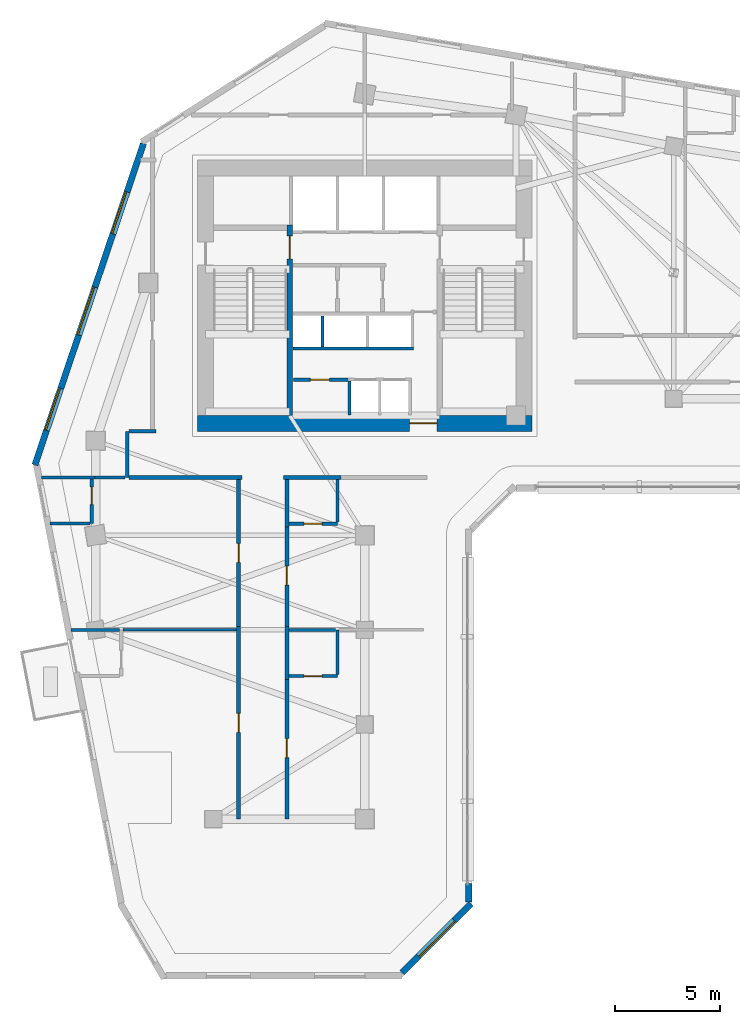
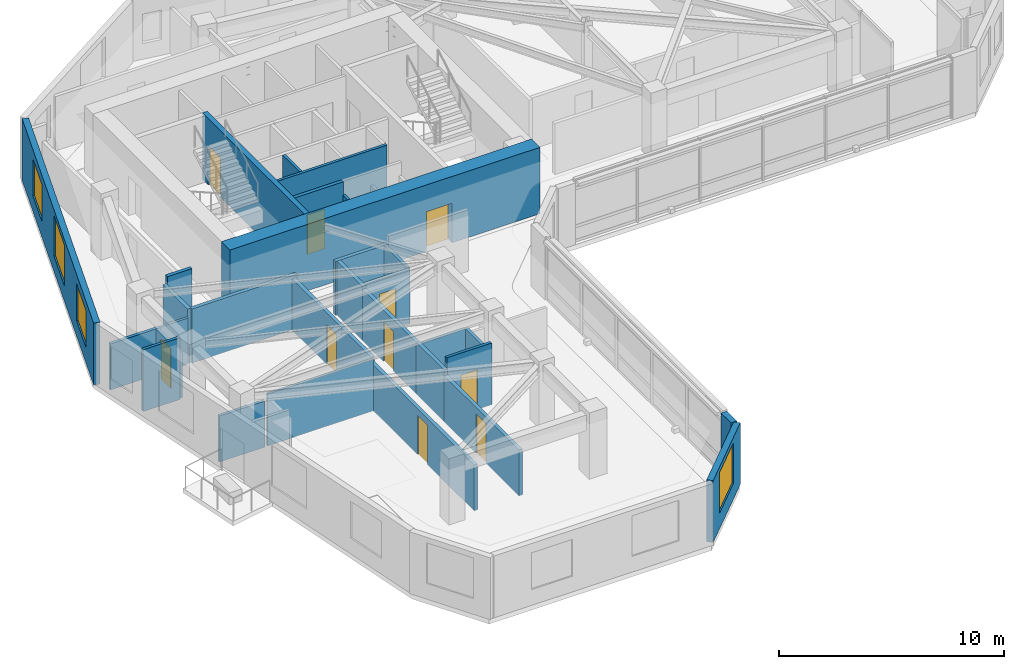
# One storey, part 5 of 11: 30 walls, 10 doors, 4 windows, 14 openings.
"""IFC4 building model written with IfcOpenShell, lengths in metres."""

from ifc_helpers import new_model, si_unit, direction, frame, frame_2d, origin, place, context, subcontext, project, spatial, rectangle, extrude, source, transform, mapped, material, layer, layer_set, type_object, element, fill, save


model = new_model("IFC4")

# Units and contexts
model_context = context("Model", 3, precision=1e-05, world=origin(), true_north=direction((0.0, 1.0)))
body_context = subcontext(model_context, "Body", "Model", "MODEL_VIEW")
ifc_project = project(units=[si_unit("LENGTHUNIT", "METRE"), si_unit("AREAUNIT", "SQUARE_METRE"), si_unit("VOLUMEUNIT", "CUBIC_METRE"), si_unit("PLANEANGLEUNIT", "RADIAN"), si_unit("MASSUNIT", "GRAM", prefix="KILO")], contexts=[model_context])

# Site, building, storey
site_placement = place(None, origin())
site = spatial("IfcSite", under=ifc_project, at=site_placement, CompositionType="ELEMENT")
building_placement = place(site_placement, origin())
building = spatial("IfcBuilding", under=site, at=building_placement, Name="Calvemar Wedge Station Tower", CompositionType="ELEMENT")
storey_placement = place(building_placement, frame((0.0, 0.0, 114.199951171875)))
storey = spatial("IfcBuildingStorey", under=building, at=storey_placement, Name="L27", CompositionType="ELEMENT", Elevation=114.199951171875)

# Wall, opening, door
ifc_material_1 = material(Name="Concrete C50", Category="concrete")
ifc_layer_1 = layer(ifc_material_1, 0.260009765625)
ifc_layer_set_1 = layer_set([ifc_layer_1], Name="Concrete C50")
wall_type_1 = type_object("IfcWallType", Name="SW-CORE-260", PredefinedType="SHEAR", material=ifc_layer_set_1)
wall_1_placement = place(storey_placement, frame((20.22998046875, 34.199951171875, 0.0), z_axis=(0.0, 0.0, 1.0), x_axis=(0.0, 1.0, 0.0)))
wall_1 = element("IfcWall", 1, at=wall_1_placement, inside=storey, type_object=wall_type_1, Name="Storey L27 Core Shear Wall SPINE-W", PredefinedType="SHEAR", context=body_context, shape_type="SweptSolid", body=[
    extrude(rectangle(XDim=9.06005859375, YDim=0.260009765625, at=frame_2d((4.530029296875, 0.0))), origin(), (0.0, 0.0, 1.0), 3.60009765625),
])
shared_shape_1 = source(origin(), body_context, "Body", "SweptSolid", [
    extrude(rectangle(XDim=1.10009765625, YDim=2.14990234375, at=frame_2d((0.550048828125, 1.074951171875))), frame((0.0, 0.14013671875, 0.0), z_axis=(0.0, -1.0, 0.0), x_axis=(1.0, 0.0, 0.0)), (0.0, 0.0, 1.0), 0.280029296875),
])
opening_1_placement = place(wall_1_placement, frame((7.449951171875, 0.0, 0.0)))
opening_1 = element("IfcOpeningElement", 2, at=opening_1_placement, cuts=wall_1, Name="Opening FD-90", PredefinedType="OPENING", context=body_context, shape_type="MappedRepresentation", body=[
    mapped(shared_shape_1, transform((0.0, 0.0, 0.0), scale=1.0)),
])
ifc_material_2 = material(Name="Galvanized fire-rated steel door leaf P-90", Category="steel")
door_type_1 = type_object("IfcDoorType", Name="DR-FD90-1100", OperationType="NOTDEFINED", PredefinedType="DOOR", material=ifc_material_2)
shared_shape_2 = source(origin(), body_context, "Body", "SweptSolid", [
    extrude(rectangle(XDim=1.10009765625, YDim=2.14990234375, at=frame_2d((0.550048828125, 1.074951171875))), frame((0.0, 0.02490234375, 0.0), z_axis=(0.0, -1.0, 0.0), x_axis=(1.0, 0.0, 0.0)), (0.0, 0.0, 1.0), 0.050048828125),
])
door_1_placement = place(opening_1_placement, origin())
door_1 = element("IfcDoor", 3, at=door_1_placement, inside=storey, type_object=door_type_1, Name="L27 FF Lobby to Stair ST-C1 Door", OperationType="SINGLE_SWING_RIGHT", OverallHeight=2.14990234375, OverallWidth=1.10009765625, PredefinedType="DOOR", context=body_context, shape_type="MappedRepresentation", body=[
    mapped(shared_shape_2, transform((0.0, 0.0, 0.0), scale=1.0)),
])
fill(opening_1, door_1)

ifc_material_3 = material(Name="Concrete C70", Category="concrete")
ifc_layer_2 = layer(ifc_material_3, 0.75)
ifc_layer_set_2 = layer_set([ifc_layer_2], Name="Concrete C70")
wall_type_2 = type_object("IfcWallType", Name="SW-CORE-750", PredefinedType="SHEAR", material=ifc_layer_set_2)
wall_2_placement = place(storey_placement, frame((15.85009765625, 33.824951171875, 0.0), z_axis=(0.0, 0.0, 1.0), x_axis=(1.0, 0.0, 0.0)))
wall_2 = element("IfcWall", 4, at=wall_2_placement, inside=storey, type_object=wall_type_2, Name="Storey L27 Core Shear Wall S", PredefinedType="SHEAR", context=body_context, shape_type="SweptSolid", body=[
    extrude(rectangle(XDim=15.89990234375, YDim=0.75, at=frame_2d((7.949951171875, 0.0))), origin(), (0.0, 0.0, 1.0), 3.60009765625),
])
shared_shape_3 = source(origin(), body_context, "Body", "SweptSolid", [
    extrude(rectangle(XDim=1.300048828125, YDim=2.14990234375, at=frame_2d((0.64990234375, 1.074951171875))), frame((0.0, 0.385009765625, 0.0), z_axis=(0.0, -1.0, 0.0), x_axis=(1.0, 0.0, 0.0)), (0.0, 0.0, 1.0), 0.77001953125),
])
opening_2_placement = place(wall_2_placement, frame((10.080078125, 0.0, 0.0)))
opening_2 = element("IfcOpeningElement", 5, at=opening_2_placement, cuts=wall_2, Name="Opening DD-130", PredefinedType="OPENING", context=body_context, shape_type="MappedRepresentation", body=[
    mapped(shared_shape_3, transform((0.0, 0.0, 0.0), scale=1.0)),
])
ifc_material_4 = material(Name="Double-leaf lift lobby fire door EI 60")
door_type_2 = type_object("IfcDoorType", Name="DR-DBL-1300", OperationType="DOUBLE_DOOR_SINGLE_SWING", PredefinedType="DOOR", material=ifc_material_4)
shared_shape_4 = source(origin(), body_context, "Body", "SweptSolid", [
    extrude(rectangle(XDim=1.300048828125, YDim=2.14990234375, at=frame_2d((0.64990234375, 1.074951171875))), frame((0.0, 0.02490234375, 0.0), z_axis=(0.0, -1.0, 0.0), x_axis=(1.0, 0.0, 0.0)), (0.0, 0.0, 1.0), 0.050048828125),
])
door_2_placement = place(opening_2_placement, origin())
door_2 = element("IfcDoor", 6, at=door_2_placement, inside=storey, type_object=door_type_2, Name="L27 Passenger Lift Lobby Door", OperationType="DOUBLE_DOOR_SINGLE_SWING", OverallHeight=2.14990234375, OverallWidth=1.300048828125, PredefinedType="DOOR", context=body_context, shape_type="MappedRepresentation", body=[
    mapped(shared_shape_4, transform((0.0, 0.0, 0.0), scale=1.0)),
])
fill(opening_2, door_2)

ifc_material_5 = material(Name="Double-stud fire-rated corridor partition")
ifc_layer_3 = layer(ifc_material_5, 0.179931640625)
ifc_layer_set_3 = layer_set([ifc_layer_3], Name="Double-stud fire-rated corridor partition")
wall_type_3 = type_object("IfcWallType", Name="W-CORR-180", PredefinedType="PARTITIONING", material=ifc_layer_set_3)
wall_3_placement = place(storey_placement, frame((20.419921875, 35.89990234375, 0.0), z_axis=(0.0, 0.0, 1.0), x_axis=(1.0, 0.0, 0.0)))
wall_3 = element("IfcWall", 7, at=wall_3_placement, inside=storey, type_object=wall_type_3, Name="Storey L27 Interior Partition WL-L27-006", PredefinedType="PARTITIONING", context=body_context, shape_type="SweptSolid", body=[
    extrude(rectangle(XDim=2.6201171875, YDim=0.179931640625, at=frame_2d((1.31005859375, 0.0))), origin(), (0.0, 0.0, 1.0), 3.35009765625),
])
shared_shape_5 = source(origin(), body_context, "Body", "SweptSolid", [
    extrude(rectangle(XDim=0.89990234375, YDim=2.14990234375, at=frame_2d((0.449951171875, 1.074951171875))), frame((0.0, 0.10009765625, 0.0), z_axis=(0.0, -1.0, 0.0), x_axis=(1.0, 0.0, 0.0)), (0.0, 0.0, 1.0), 0.199951171875),
])
opening_3_placement = place(wall_3_placement, frame((0.795654296875, 0.0, 0.0)))
opening_3 = element("IfcOpeningElement", 8, at=opening_3_placement, cuts=wall_3, Name="Opening FD-60", PredefinedType="OPENING", context=body_context, shape_type="MappedRepresentation", body=[
    mapped(shared_shape_5, transform((0.0, 0.0, 0.0), scale=1.0)),
])
ifc_material_6 = material(Name="Fire-rated acoustic timber-core entrance door EI 60", Category="wood")
door_type_3 = type_object("IfcDoorType", Name="DR-FD60-900", OperationType="NOTDEFINED", PredefinedType="DOOR", material=ifc_material_6)
shared_shape_6 = source(origin(), body_context, "Body", "SweptSolid", [
    extrude(rectangle(XDim=0.89990234375, YDim=2.14990234375, at=frame_2d((0.449951171875, 1.074951171875))), frame((0.0, 0.02490234375, 0.0), z_axis=(0.0, -1.0, 0.0), x_axis=(1.0, 0.0, 0.0)), (0.0, 0.0, 1.0), 0.050048828125),
])
door_3_placement = place(opening_3_placement, origin())
door_3 = element("IfcDoor", 9, at=door_3_placement, inside=storey, type_object=door_type_3, Name="L27 Housekeeping Store Door", OperationType="SINGLE_SWING_LEFT", OverallHeight=2.14990234375, OverallWidth=0.89990234375, PredefinedType="DOOR", context=body_context, shape_type="MappedRepresentation", body=[
    mapped(shared_shape_6, transform((0.0, 0.0, 0.0), scale=1.0)),
])
fill(opening_3, door_3)

# Walls
wall_4_placement = place(storey_placement, frame((12.5, 31.25, 0.0), z_axis=(0.0, 0.0, 1.0), x_axis=(0.0, 1.0, 0.0)))
element("IfcWall", 10, at=wall_4_placement, inside=storey, type_object=wall_type_3, Name="Storey L27 Interior Partition WL-L27-007", PredefinedType="PARTITIONING", context=body_context, shape_type="SweptSolid", body=[
    extrude(rectangle(XDim=2.199951171875, YDim=0.179931640625, at=frame_2d((1.10009765625, 0.0))), origin(), (0.0, 0.0, 1.0), 2.93505859375),
])
wall_5_placement = place(storey_placement, frame((12.593994140625, 33.449951171875, 0.0), z_axis=(0.0, 0.0, 1.0), x_axis=(1.0, 0.0, 0.0)))
element("IfcWall", 11, at=wall_5_placement, inside=storey, type_object=wall_type_3, Name="Storey L27 Interior Partition WL-L27-008", PredefinedType="PARTITIONING", context=body_context, shape_type="SweptSolid", body=[
    extrude(rectangle(XDim=1.26611328125, YDim=0.179931640625, at=frame_2d((0.633056640625, 0.0))), origin(), (0.0, 0.0, 1.0), 3.35009765625),
])
wall_6_placement = place(storey_placement, frame((17.9599609375, 31.25, 0.0), z_axis=(0.0, 0.0, 1.0), x_axis=(-1.0, 0.0, 0.0)))
element("IfcWall", 12, at=wall_6_placement, inside=storey, type_object=wall_type_3, Name="Storey L27 Interior Partition WL-L27-009", PredefinedType="PARTITIONING", context=body_context, shape_type="SweptSolid", body=[
    extrude(rectangle(XDim=5.365966796875, YDim=0.179931640625, at=frame_2d((2.68310546875, 0.0))), origin(), (0.0, 0.0, 1.0), 2.93505859375),
])
wall_7_placement = place(storey_placement, frame((22.659912109375, 31.25, 0.0), z_axis=(0.0, 0.0, 1.0), x_axis=(-1.0, 0.0, 0.0)))
element("IfcWall", 13, at=wall_7_placement, inside=storey, type_object=wall_type_3, Name="Storey L27 Interior Partition WL-L27-010", PredefinedType="PARTITIONING", context=body_context, shape_type="SweptSolid", body=[
    extrude(rectangle(XDim=2.719970703125, YDim=0.179931640625, at=frame_2d((1.35986328125, 0.0))), origin(), (0.0, 0.0, 1.0), 2.93505859375),
])

# Wall, opening, door
wall_8_placement = place(storey_placement, frame((17.800048828125, 15.0, 0.0), z_axis=(0.0, 0.0, 1.0), x_axis=(0.0, 1.0, 0.0)))
wall_8 = element("IfcWall", 14, at=wall_8_placement, inside=storey, type_object=wall_type_3, Name="Storey L27 Interior Partition WL-L27-040", PredefinedType="PARTITIONING", context=body_context, shape_type="SweptSolid", body=[
    extrude(rectangle(XDim=9.159912109375, YDim=0.179931640625, at=frame_2d((4.580078125, 0.0))), origin(), (0.0, 0.0, 1.0), 2.491943359375),
])
opening_4_placement = place(wall_8_placement, frame((4.1298828125, 0.0, 0.0)))
opening_4 = element("IfcOpeningElement", 15, at=opening_4_placement, cuts=wall_8, Name="Opening FD-60", PredefinedType="OPENING", context=body_context, shape_type="MappedRepresentation", body=[
    mapped(shared_shape_5, transform((0.0, 0.0, 0.0), scale=1.0)),
])
door_4_placement = place(opening_4_placement, origin())
door_4 = element("IfcDoor", 16, at=door_4_placement, inside=storey, type_object=door_type_3, Name="L27 Hotel Guest Room Door", OperationType="SINGLE_SWING_LEFT", OverallHeight=2.14990234375, OverallWidth=0.89990234375, PredefinedType="DOOR", context=body_context, shape_type="MappedRepresentation", body=[
    mapped(shared_shape_6, transform((0.0, 0.0, 0.0), scale=1.0)),
])
fill(opening_4, door_4)

# Wall
wall_9_placement = place(storey_placement, frame((20.10009765625, 24.159912109375, 0.0), z_axis=(0.0, 0.0, 1.0), x_axis=(0.0, -1.0, 0.0)))
element("IfcWall", 17, at=wall_9_placement, inside=storey, type_object=wall_type_3, Name="Storey L27 Interior Partition WL-L27-041", PredefinedType="PARTITIONING", context=body_context, shape_type="SweptSolid", body=[
    extrude(rectangle(XDim=2.52001953125, YDim=0.179931640625, at=frame_2d((1.260009765625, 0.0))), origin(), (0.0, 0.0, 1.0), 2.802978515625),
])

# Wall, opening, door
wall_10_placement = place(storey_placement, frame((20.10009765625, 21.637939453125, 0.0), z_axis=(0.0, 0.0, 1.0), x_axis=(0.0, -1.0, 0.0)))
wall_10 = element("IfcWall", 18, at=wall_10_placement, inside=storey, type_object=wall_type_3, Name="Storey L27 Interior Partition WL-L27-042", PredefinedType="PARTITIONING", context=body_context, shape_type="SweptSolid", body=[
    extrude(rectangle(XDim=6.637939453125, YDim=0.179931640625, at=frame_2d((3.31884765625, 0.0))), origin(), (0.0, 0.0, 1.0), 2.491943359375),
])
opening_5_placement = place(wall_10_placement, frame((2.808837890625, 0.0, 0.0)))
opening_5 = element("IfcOpeningElement", 19, at=opening_5_placement, cuts=wall_10, Name="Opening FD-60", PredefinedType="OPENING", context=body_context, shape_type="MappedRepresentation", body=[
    mapped(shared_shape_5, transform((0.0, 0.0, 0.0), scale=1.0)),
])
door_5_placement = place(opening_5_placement, origin())
door_5 = element("IfcDoor", 20, at=door_5_placement, inside=storey, type_object=door_type_3, Name="L27 Hotel Guest Room Door", OperationType="SINGLE_SWING_LEFT", OverallHeight=2.14990234375, OverallWidth=0.89990234375, PredefinedType="DOOR", context=body_context, shape_type="MappedRepresentation", body=[
    mapped(shared_shape_6, transform((0.0, 0.0, 0.0), scale=1.0)),
])
fill(opening_5, door_5)

wall_11_placement = place(storey_placement, frame((17.800048828125, 24.162109375, 0.0), z_axis=(0.0, 0.0, 1.0), x_axis=(0.0, 1.0, 0.0)))
wall_11 = element("IfcWall", 21, at=wall_11_placement, inside=storey, type_object=wall_type_3, Name="Storey L27 Interior Partition WL-L27-043", PredefinedType="PARTITIONING", context=body_context, shape_type="SweptSolid", body=[
    extrude(rectangle(XDim=6.993896484375, YDim=0.179931640625, at=frame_2d((3.4970703125, 0.0))), origin(), (0.0, 0.0, 1.0), 2.7880859375),
])
opening_6_placement = place(wall_11_placement, frame((3.047119140625, 0.0, 0.0)))
opening_6 = element("IfcOpeningElement", 22, at=opening_6_placement, cuts=wall_11, Name="Opening FD-60", PredefinedType="OPENING", context=body_context, shape_type="MappedRepresentation", body=[
    mapped(shared_shape_5, transform((0.0, 0.0, 0.0), scale=1.0)),
])
door_6_placement = place(opening_6_placement, origin())
door_6 = element("IfcDoor", 23, at=door_6_placement, inside=storey, type_object=door_type_3, Name="L27 Hotel Guest Room Door", OperationType="SINGLE_SWING_LEFT", OverallHeight=2.14990234375, OverallWidth=0.89990234375, PredefinedType="DOOR", context=body_context, shape_type="MappedRepresentation", body=[
    mapped(shared_shape_6, transform((0.0, 0.0, 0.0), scale=1.0)),
])
fill(opening_6, door_6)

# Wall
wall_12_placement = place(storey_placement, frame((20.10009765625, 31.156005859375, 0.0), z_axis=(0.0, 0.0, 1.0), x_axis=(0.0, -1.0, 0.0)))
element("IfcWall", 24, at=wall_12_placement, inside=storey, type_object=wall_type_3, Name="Storey L27 Interior Partition WL-L27-044", PredefinedType="PARTITIONING", context=body_context, shape_type="SweptSolid", body=[
    extrude(rectangle(XDim=2.26611328125, YDim=0.179931640625, at=frame_2d((1.133056640625, 0.0))), origin(), (0.0, 0.0, 1.0), 2.93505859375),
])

# Wall, opening, door
wall_13_placement = place(storey_placement, frame((20.10009765625, 28.887939453125, 0.0), z_axis=(0.0, 0.0, 1.0), x_axis=(0.0, -1.0, 0.0)))
wall_13 = element("IfcWall", 25, at=wall_13_placement, inside=storey, type_object=wall_type_3, Name="Storey L27 Interior Partition WL-L27-045", PredefinedType="PARTITIONING", context=body_context, shape_type="SweptSolid", body=[
    extrude(rectangle(XDim=4.725830078125, YDim=0.179931640625, at=frame_2d((2.36279296875, 0.0))), origin(), (0.0, 0.0, 1.0), 2.7880859375),
])
opening_7_placement = place(wall_13_placement, frame((1.8525390625, 0.0, 0.0)))
opening_7 = element("IfcOpeningElement", 26, at=opening_7_placement, cuts=wall_13, Name="Opening FD-60", PredefinedType="OPENING", context=body_context, shape_type="MappedRepresentation", body=[
    mapped(shared_shape_5, transform((0.0, 0.0, 0.0), scale=1.0)),
])
door_7_placement = place(opening_7_placement, origin())
door_7 = element("IfcDoor", 27, at=door_7_placement, inside=storey, type_object=door_type_3, Name="L27 Hotel Guest Room Door", OperationType="SINGLE_SWING_LEFT", OverallHeight=2.14990234375, OverallWidth=0.89990234375, PredefinedType="DOOR", context=body_context, shape_type="MappedRepresentation", body=[
    mapped(shared_shape_6, transform((0.0, 0.0, 0.0), scale=1.0)),
])
fill(opening_7, door_7)

# Wall, opening, window
ifc_material_7 = material(Name="Precast concrete C45", Category="concrete")
ifc_layer_4 = layer(ifc_material_7, 0.300048828125)
ifc_layer_set_4 = layer_set([ifc_layer_4], Name="Precast concrete C45")
wall_type_4 = type_object("IfcWallType", Name="W-EXT-GFRC-300", PredefinedType="SOLIDWALL", material=ifc_layer_set_4)
wall_14_placement = place(storey_placement, frame((25.572021484375, 7.68798828125, 0.0), z_axis=(0.0, 0.0, 1.0), x_axis=(0.70708046583, 0.707133095564, 0.0)))
wall_14 = element("IfcWall", 28, at=wall_14_placement, inside=storey, type_object=wall_type_4, Name="Storey L27 Bronze GFRC Exterior Wall 3", PredefinedType="SOLIDWALL", context=body_context, shape_type="SweptSolid", body=[
    extrude(rectangle(XDim=4.638916015625, YDim=0.300048828125, at=frame_2d((2.3193359375, 0.0))), origin(), (0.0, 0.0, 1.0), 3.35009765625),
])
shared_shape_7 = source(origin(), body_context, "Body", "SweptSolid", [
    extrude(rectangle(XDim=2.39990234375, YDim=2.199951171875, at=frame_2d((1.199951171875, 1.10009765625))), frame((0.0, 0.16015625, 0.0), z_axis=(0.0, -1.0, 0.0), x_axis=(1.0, 0.0, 0.0)), (0.0, 0.0, 1.0), 0.320068359375),
])
opening_8_placement = place(wall_14_placement, frame((1.118896484375, 0.0, 0.85009765625)))
opening_8 = element("IfcOpeningElement", 29, at=opening_8_placement, cuts=wall_14, Name="Opening W1", PredefinedType="OPENING", context=body_context, shape_type="MappedRepresentation", body=[
    mapped(shared_shape_7, transform((0.0, 0.0, 0.0), scale=1.0)),
])
ifc_material_8 = material(Name="Low-E laminated insulated glass", Category="glass")
window_type_1 = type_object("IfcWindowType", Name="WIN-EXT-1", PartitioningType="SINGLE_PANEL", PredefinedType="WINDOW", material=ifc_material_8)
shared_shape_8 = source(origin(), body_context, "Body", "SweptSolid", [
    extrude(rectangle(XDim=2.39990234375, YDim=2.199951171875, at=frame_2d((1.199951171875, 1.10009765625))), frame((0.0, -0.014892578125, 0.0), z_axis=(0.0, -1.0, 0.0), x_axis=(1.0, 0.0, 0.0)), (0.0, 0.0, 1.0), 0.06005859375),
])
window_1_placement = place(opening_8_placement, origin())
window_1 = element("IfcWindow", 30, at=window_1_placement, inside=storey, type_object=window_type_1, Name="Storey L27 Recessed Window 3.1", OverallHeight=2.199951171875, OverallWidth=2.39990234375, PartitioningType="SINGLE_PANEL", PredefinedType="WINDOW", context=body_context, shape_type="MappedRepresentation", body=[
    mapped(shared_shape_8, transform((0.0, 0.0, 0.0), scale=1.0)),
])
fill(opening_8, window_1)

# Wall
wall_15_placement = place(storey_placement, frame((28.74609375, 11.057373046875, 0.0), z_axis=(0.0, 0.0, 1.0), x_axis=(0.0, 1.0, 0.0)))
element("IfcWall", 31, at=wall_15_placement, inside=storey, type_object=wall_type_4, Name="Storey L27 Bronze GFRC Corner Pier 4A", PredefinedType="SOLIDWALL", context=body_context, shape_type="SweptSolid", body=[
    extrude(rectangle(XDim=0.88232421875, YDim=0.300048828125, at=frame_2d((0.441162109375, 0.0))), origin(), (0.0, 0.0, 1.0), 3.35009765625),
])

# Wall, openings, windows
wall_16_placement = place(storey_placement, frame((13.2685546875, 47.1337890625, 0.0), z_axis=(0.0, 0.0, 1.0), x_axis=(-0.319929596295, -0.947441319246, 0.0)))
wall_16 = element("IfcWall", 32, at=wall_16_placement, inside=storey, type_object=wall_type_4, Name="Storey L27 Bronze GFRC Exterior Wall 12", PredefinedType="SOLIDWALL", context=body_context, shape_type="SweptSolid", body=[
    extrude(rectangle(XDim=16.13427734375, YDim=0.300048828125, at=frame_2d((8.067138671875, 0.0))), origin(), (0.0, 0.0, 1.0), 3.35009765625),
])
shared_shape_9 = source(origin(), body_context, "Body", "SweptSolid", [
    extrude(rectangle(XDim=2.10009765625, YDim=2.0, at=frame_2d((1.050048828125, 1.0))), frame((0.0, 0.16015625, 0.0), z_axis=(0.0, -1.0, 0.0), x_axis=(1.0, 0.0, 0.0)), (0.0, 0.0, 1.0), 0.320068359375),
])
opening_9_placement = place(wall_16_placement, frame((2.426025390625, 0.0, 0.85009765625)))
opening_9 = element("IfcOpeningElement", 33, at=opening_9_placement, cuts=wall_16, Name="Opening W4", PredefinedType="OPENING", context=body_context, shape_type="MappedRepresentation", body=[
    mapped(shared_shape_9, transform((0.0, 0.0, 0.0), scale=1.0)),
])
opening_10_placement = place(wall_16_placement, frame((7.2109375, 0.0, 0.85009765625)))
opening_10 = element("IfcOpeningElement", 34, at=opening_10_placement, cuts=wall_16, Name="Opening W1", PredefinedType="OPENING", context=body_context, shape_type="MappedRepresentation", body=[
    mapped(shared_shape_7, transform((0.0, 0.0, 0.0), scale=1.0)),
])
opening_11_placement = place(wall_16_placement, frame((12.297119140625, 0.0, 0.85009765625)))
opening_11 = element("IfcOpeningElement", 35, at=opening_11_placement, cuts=wall_16, Name="Opening W4", PredefinedType="OPENING", context=body_context, shape_type="MappedRepresentation", body=[
    mapped(shared_shape_9, transform((0.0, 0.0, 0.0), scale=1.0)),
])
window_type_2 = type_object("IfcWindowType", Name="WIN-EXT-4", PartitioningType="SINGLE_PANEL", PredefinedType="WINDOW", material=ifc_material_8)
shared_shape_10 = source(origin(), body_context, "Body", "SweptSolid", [
    extrude(rectangle(XDim=2.10009765625, YDim=2.0, at=frame_2d((1.050048828125, 1.0))), frame((0.0, -0.014892578125, 0.0), z_axis=(0.0, -1.0, 0.0), x_axis=(1.0, 0.0, 0.0)), (0.0, 0.0, 1.0), 0.06005859375),
])
window_2_placement = place(opening_9_placement, origin())
window_2 = element("IfcWindow", 36, at=window_2_placement, inside=storey, type_object=window_type_2, Name="Storey L27 Recessed Window 12.1", OverallHeight=2.0, OverallWidth=2.10009765625, PartitioningType="SINGLE_PANEL", PredefinedType="WINDOW", context=body_context, shape_type="MappedRepresentation", body=[
    mapped(shared_shape_10, transform((0.0, 0.0, 0.0), scale=1.0)),
])
fill(opening_9, window_2)
window_3_placement = place(opening_11_placement, origin())
window_3 = element("IfcWindow", 37, at=window_3_placement, inside=storey, type_object=window_type_2, Name="Storey L27 Recessed Window 12.3", OverallHeight=2.0, OverallWidth=2.10009765625, PartitioningType="SINGLE_PANEL", PredefinedType="WINDOW", context=body_context, shape_type="MappedRepresentation", body=[
    mapped(shared_shape_10, transform((0.0, 0.0, 0.0), scale=1.0)),
])
fill(opening_11, window_3)
window_4_placement = place(opening_10_placement, origin())
window_4 = element("IfcWindow", 38, at=window_4_placement, inside=storey, type_object=window_type_1, Name="Storey L27 Recessed Window 12.2", OverallHeight=2.199951171875, OverallWidth=2.39990234375, PartitioningType="SINGLE_PANEL", PredefinedType="WINDOW", context=body_context, shape_type="MappedRepresentation", body=[
    mapped(shared_shape_8, transform((0.0, 0.0, 0.0), scale=1.0)),
])
fill(opening_10, window_4)

# Walls
ifc_material_9 = material(Name="Reinforced concrete blockwork lift shaft wall", Category="masonry")
ifc_layer_5 = layer(ifc_material_9, 0.139892578125)
ifc_layer_set_5 = layer_set([ifc_layer_5], Name="Reinforced concrete blockwork lift shaft wall")
wall_type_5 = type_object("IfcWallType", Name="W-LIFT-160", PredefinedType="SOLIDWALL", material=ifc_layer_set_5)
wall_17_placement = place(storey_placement, frame((23.070068359375, 34.219970703125, 0.0), z_axis=(0.0, 0.0, 1.0), x_axis=(0.0, 1.0, 0.0)))
element("IfcWall", 39, at=wall_17_placement, inside=storey, type_object=wall_type_5, Name="Storey L27 South Passenger Lift Shaft Wall W", PredefinedType="SOLIDWALL", context=body_context, shape_type="SweptSolid", body=[
    extrude(rectangle(XDim=1.6201171875, YDim=0.139892578125, at=frame_2d((0.81005859375, 0.0))), origin(), (0.0, 0.0, 1.0), 2.64208984375),
])
wall_18_placement = place(storey_placement, frame((20.3798828125, 37.3798828125, 0.0), z_axis=(0.0, 0.0, 1.0), x_axis=(1.0, 0.0, 0.0)))
element("IfcWall", 40, at=wall_18_placement, inside=storey, type_object=wall_type_5, Name="Storey L27 Upper Passenger Lift Bank Front Wall", PredefinedType="SOLIDWALL", context=body_context, shape_type="SweptSolid", body=[
    extrude(rectangle(XDim=5.75, YDim=0.139892578125, at=frame_2d((2.875, 0.0))), origin(), (0.0, 0.0, 1.0), 3.35009765625),
])
wall_19_placement = place(storey_placement, frame((21.794921875, 37.4599609375, 0.0), z_axis=(0.0, 0.0, 1.0), x_axis=(0.0, 1.0, 0.0)))
element("IfcWall", 41, at=wall_19_placement, inside=storey, type_object=wall_type_5, Name="Storey L27 Upper Passenger Lift Shaft Wall D1", PredefinedType="SOLIDWALL", context=body_context, shape_type="SweptSolid", body=[
    extrude(rectangle(XDim=1.47998046875, YDim=0.139892578125, at=frame_2d((0.739990234375, 0.0))), origin(), (0.0, 0.0, 1.0), 3.35009765625),
])
ifc_material_10 = material(Name="Insulated acoustic gypsum stud partition")
ifc_layer_6 = layer(ifc_material_10, 0.125)
ifc_layer_set_6 = layer_set([ifc_layer_6], Name="Insulated acoustic gypsum stud partition")
wall_type_6 = type_object("IfcWallType", Name="W-PART-125", PredefinedType="PARTITIONING", material=ifc_layer_set_6)
wall_20_placement = place(storey_placement, frame((12.406005859375, 31.25, 0.0), z_axis=(0.0, 0.0, 1.0), x_axis=(-1.0, 0.0, 0.0)))
element("IfcWall", 42, at=wall_20_placement, inside=storey, type_object=wall_type_6, Name="Storey L27 Interior Partition WL-L27-019", PredefinedType="PARTITIONING", context=body_context, shape_type="SweptSolid", body=[
    extrude(rectangle(XDim=1.43310546875, YDim=0.125, at=frame_2d((0.716552734375, 0.0))), origin(), (0.0, 0.0, 1.0), 2.491943359375),
])
wall_21_placement = place(storey_placement, frame((12.294677734375, 24.0, 0.0), z_axis=(0.0, 0.0, 1.0), x_axis=(1.0, 0.0, 0.0)))
element("IfcWall", 43, at=wall_21_placement, inside=storey, type_object=wall_type_6, Name="Storey L27 Interior Partition WL-L27-049", PredefinedType="PARTITIONING", context=body_context, shape_type="SweptSolid", body=[
    extrude(rectangle(XDim=5.411376953125, YDim=0.125, at=frame_2d((2.70556640625, 0.0))), origin(), (0.0, 0.0, 1.0), 2.802978515625),
])
ifc_material_11 = material(Name="Moisture-resistant acoustic bathroom partition")
ifc_layer_7 = layer(ifc_material_11, 0.14990234375)
ifc_layer_set_7 = layer_set([ifc_layer_7], Name="Moisture-resistant acoustic bathroom partition")
wall_type_7 = type_object("IfcWallType", Name="W-WET-150", PredefinedType="PARTITIONING", material=ifc_layer_set_7)
wall_22_placement = place(storey_placement, frame((10.970947265625, 31.25, 0.0), z_axis=(0.0, 0.0, 1.0), x_axis=(-1.0, 0.0, 0.0)))
element("IfcWall", 44, at=wall_22_placement, inside=storey, type_object=wall_type_7, Name="Storey L27 Interior Partition WL-L27-018", PredefinedType="PARTITIONING", context=body_context, shape_type="SweptSolid", body=[
    extrude(rectangle(XDim=2.55615234375, YDim=0.14990234375, at=frame_2d((1.278076171875, 0.0))), origin(), (0.0, 0.0, 1.0), 2.491943359375),
])
wall_23_placement = place(storey_placement, frame((9.815673828125, 24.0, 0.0), z_axis=(0.0, 0.0, 1.0), x_axis=(1.0, 0.0, 0.0)))
element("IfcWall", 45, at=wall_23_placement, inside=storey, type_object=wall_type_7, Name="Storey L27 Interior Partition WL-L27-048", PredefinedType="PARTITIONING", context=body_context, shape_type="SweptSolid", body=[
    extrude(rectangle(XDim=2.321044921875, YDim=0.14990234375, at=frame_2d((1.16064453125, 0.0))), origin(), (0.0, 0.0, 1.0), 2.491943359375),
])

# Wall, opening, door
wall_24_placement = place(storey_placement, frame((22.5, 21.800048828125, 0.0), z_axis=(0.0, 0.0, 1.0), x_axis=(-1.0, 0.0, 0.0)))
wall_24 = element("IfcWall", 46, at=wall_24_placement, inside=storey, type_object=wall_type_7, Name="Storey L27 Interior Partition WL-L27-050", PredefinedType="PARTITIONING", context=body_context, shape_type="SweptSolid", body=[
    extrude(rectangle(XDim=2.305908203125, YDim=0.14990234375, at=frame_2d((1.15283203125, 0.0))), origin(), (0.0, 0.0, 1.0), 3.35009765625),
])
shared_shape_11 = source(origin(), body_context, "Body", "SweptSolid", [
    extrude(rectangle(XDim=0.85009765625, YDim=2.14990234375, at=frame_2d((0.425048828125, 1.074951171875))), frame((0.0, 0.0849609375, 0.0), z_axis=(0.0, -1.0, 0.0), x_axis=(1.0, 0.0, 0.0)), (0.0, 0.0, 1.0), 0.169921875),
])
opening_12_placement = place(wall_24_placement, frame((0.72802734375, 0.0, 0.0)))
opening_12 = element("IfcOpeningElement", 47, at=opening_12_placement, cuts=wall_24, Name="Opening D-02", PredefinedType="OPENING", context=body_context, shape_type="MappedRepresentation", body=[
    mapped(shared_shape_11, transform((0.0, 0.0, 0.0), scale=1.0)),
])
ifc_material_12 = material(Name="Moisture-sealed bathroom hardwood swing door", Category="wood")
door_type_4 = type_object("IfcDoorType", Name="DR-WET-850", OperationType="NOTDEFINED", PredefinedType="DOOR", material=ifc_material_12)
shared_shape_12 = source(origin(), body_context, "Body", "SweptSolid", [
    extrude(rectangle(XDim=0.85009765625, YDim=2.14990234375, at=frame_2d((0.425048828125, 1.074951171875))), frame((0.0, 0.02490234375, 0.0), z_axis=(0.0, -1.0, 0.0), x_axis=(1.0, 0.0, 0.0)), (0.0, 0.0, 1.0), 0.050048828125),
])
door_8_placement = place(opening_12_placement, origin())
door_8 = element("IfcDoor", 48, at=door_8_placement, inside=storey, type_object=door_type_4, Name="L27 En-Suite Bathroom Door", OperationType="SINGLE_SWING_RIGHT", OverallHeight=2.14990234375, OverallWidth=0.85009765625, PredefinedType="DOOR", context=body_context, shape_type="MappedRepresentation", body=[
    mapped(shared_shape_12, transform((0.0, 0.0, 0.0), scale=1.0)),
])
fill(opening_12, door_8)

# Walls
wall_25_placement = place(storey_placement, frame((22.5, 24.0, 0.0), z_axis=(0.0, 0.0, 1.0), x_axis=(0.0, -1.0, 0.0)))
element("IfcWall", 49, at=wall_25_placement, inside=storey, type_object=wall_type_7, Name="Storey L27 Interior Partition WL-L27-051", PredefinedType="PARTITIONING", context=body_context, shape_type="SweptSolid", body=[
    extrude(rectangle(XDim=2.12109375, YDim=0.14990234375, at=frame_2d((1.060546875, 0.0))), origin(), (0.0, 0.0, 1.0), 2.802978515625),
])
wall_26_placement = place(storey_placement, frame((20.194091796875, 24.0, 0.0), z_axis=(0.0, 0.0, 1.0), x_axis=(1.0, 0.0, 0.0)))
element("IfcWall", 50, at=wall_26_placement, inside=storey, type_object=wall_type_7, Name="Storey L27 Interior Partition WL-L27-052", PredefinedType="PARTITIONING", context=body_context, shape_type="SweptSolid", body=[
    extrude(rectangle(XDim=2.226806640625, YDim=0.14990234375, at=frame_2d((1.11328125, 0.0))), origin(), (0.0, 0.0, 1.0), 2.802978515625),
])

# Wall, opening, door
wall_27_placement = place(storey_placement, frame((10.810791015625, 31.1708984375, 0.0), z_axis=(0.0, 0.0, 1.0), x_axis=(0.0, -1.0, 0.0)))
wall_27 = element("IfcWall", 51, at=wall_27_placement, inside=storey, type_object=wall_type_7, Name="Storey L27 Interior Partition WL-L27-054", PredefinedType="PARTITIONING", context=body_context, shape_type="SweptSolid", body=[
    extrude(rectangle(XDim=2.100830078125, YDim=0.14990234375, at=frame_2d((1.05029296875, 0.0))), origin(), (0.0, 0.0, 1.0), 2.491943359375),
])
opening_13_placement = place(wall_27_placement, frame((0.366455078125, 0.0, 0.0)))
opening_13 = element("IfcOpeningElement", 52, at=opening_13_placement, cuts=wall_27, Name="Opening D-02", PredefinedType="OPENING", context=body_context, shape_type="MappedRepresentation", body=[
    mapped(shared_shape_11, transform((0.0, 0.0, 0.0), scale=1.0)),
])
door_9_placement = place(opening_13_placement, origin())
door_9 = element("IfcDoor", 53, at=door_9_placement, inside=storey, type_object=door_type_4, Name="L27 En-Suite Bathroom Door", OperationType="SINGLE_SWING_RIGHT", OverallHeight=2.14990234375, OverallWidth=0.85009765625, PredefinedType="DOOR", context=body_context, shape_type="MappedRepresentation", body=[
    mapped(shared_shape_12, transform((0.0, 0.0, 0.0), scale=1.0)),
])
fill(opening_13, door_9)

# Wall
wall_28_placement = place(storey_placement, frame((10.73193359375, 29.070068359375, 0.0), z_axis=(0.0, 0.0, 1.0), x_axis=(-1.0, 0.0, 0.0)))
element("IfcWall", 54, at=wall_28_placement, inside=storey, type_object=wall_type_7, Name="Storey L27 Interior Partition WL-L27-055", PredefinedType="PARTITIONING", context=body_context, shape_type="SweptSolid", body=[
    extrude(rectangle(XDim=1.89599609375, YDim=0.14990234375, at=frame_2d((0.947998046875, 0.0))), origin(), (0.0, 0.0, 1.0), 3.35009765625),
])

# Wall, opening, door
wall_29_placement = place(storey_placement, frame((22.5, 29.050048828125, 0.0), z_axis=(0.0, 0.0, 1.0), x_axis=(-1.0, 0.0, 0.0)))
wall_29 = element("IfcWall", 55, at=wall_29_placement, inside=storey, type_object=wall_type_7, Name="Storey L27 Interior Partition WL-L27-056", PredefinedType="PARTITIONING", context=body_context, shape_type="SweptSolid", body=[
    extrude(rectangle(XDim=2.305908203125, YDim=0.14990234375, at=frame_2d((1.15283203125, 0.0))), origin(), (0.0, 0.0, 1.0), 2.93505859375),
])
opening_14_placement = place(wall_29_placement, frame((0.72802734375, 0.0, 0.0)))
opening_14 = element("IfcOpeningElement", 56, at=opening_14_placement, cuts=wall_29, Name="Opening D-02", PredefinedType="OPENING", context=body_context, shape_type="MappedRepresentation", body=[
    mapped(shared_shape_11, transform((0.0, 0.0, 0.0), scale=1.0)),
])
door_10_placement = place(opening_14_placement, origin())
door_10 = element("IfcDoor", 57, at=door_10_placement, inside=storey, type_object=door_type_4, Name="L27 En-Suite Bathroom Door", OperationType="SINGLE_SWING_RIGHT", OverallHeight=2.14990234375, OverallWidth=0.85009765625, PredefinedType="DOOR", context=body_context, shape_type="MappedRepresentation", body=[
    mapped(shared_shape_12, transform((0.0, 0.0, 0.0), scale=1.0)),
])
fill(opening_14, door_10)

# Wall
wall_30_placement = place(storey_placement, frame((22.5, 31.156005859375, 0.0), z_axis=(0.0, 0.0, 1.0), x_axis=(0.0, -1.0, 0.0)))
element("IfcWall", 58, at=wall_30_placement, inside=storey, type_object=wall_type_7, Name="Storey L27 Interior Partition WL-L27-057", PredefinedType="PARTITIONING", context=body_context, shape_type="SweptSolid", body=[
    extrude(rectangle(XDim=2.027099609375, YDim=0.14990234375, at=frame_2d((1.013671875, 0.0))), origin(), (0.0, 0.0, 1.0), 2.93505859375),
])

save(model, "model.ifc")
